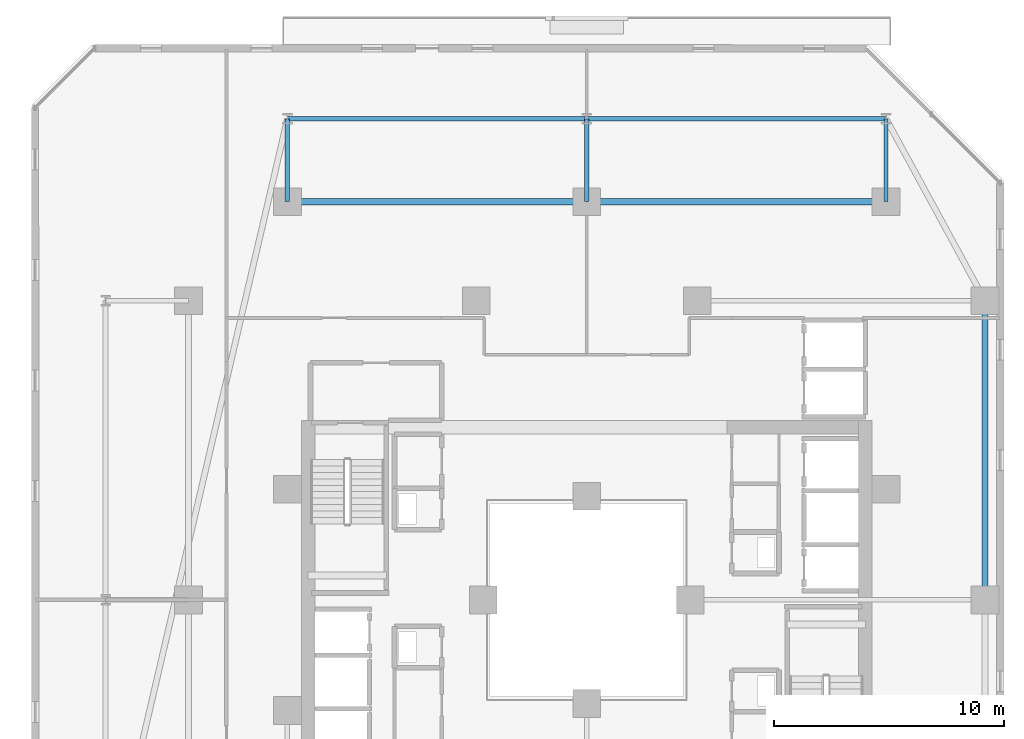
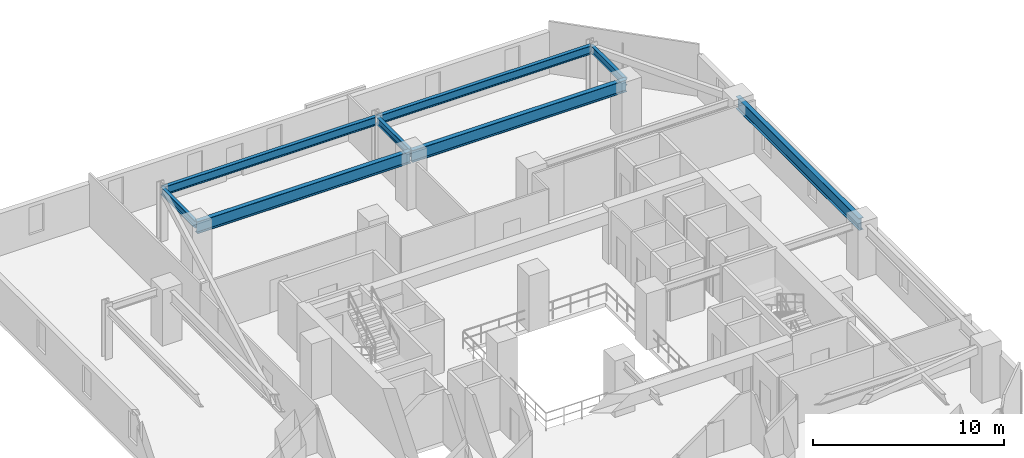
# One storey, part 13 of 30: 8 beams.
"""IFC4 building model written with IfcOpenShell, lengths in metres."""

from ifc_helpers import new_model, si_unit, direction, frame, origin, origin_2d, place, context, subcontext, project, spatial, i_section, extrude, material, material_profile, profile_set, type_object, element, save


model = new_model("IFC4")

# Units and contexts
model_context = context("Model", 3, precision=1e-05, world=origin(), true_north=direction((0.0, 1.0)))
body_context = subcontext(model_context, "Body", "Model", "MODEL_VIEW")
ifc_project = project(units=[si_unit("LENGTHUNIT", "METRE"), si_unit("AREAUNIT", "SQUARE_METRE"), si_unit("VOLUMEUNIT", "CUBIC_METRE"), si_unit("PLANEANGLEUNIT", "RADIAN"), si_unit("MASSUNIT", "GRAM", prefix="KILO")], contexts=[model_context])

# Site, building, storey
site_placement = place(None, origin())
site = spatial("IfcSite", under=ifc_project, at=site_placement, CompositionType="ELEMENT")
building_placement = place(site_placement, origin())
building = spatial("IfcBuilding", under=site, at=building_placement, Name="Thornwick Lancets Civic Towers", CompositionType="ELEMENT")
storey_placement = place(building_placement, frame((0.0, 0.0, 80.10009765625)))
storey = spatial("IfcBuildingStorey", under=building, at=storey_placement, Name="L20", CompositionType="ELEMENT", Elevation=80.10009765625)

# Beams
ifc_material = material(Name="Steel S355JR", Category="steel")
ifc_material_profile_1 = material_profile(ifc_material, i_section(OverallWidth=0.2119140625, OverallDepth=0.54443359375, WebThickness=0.0126953125, FlangeThickness=0.021240234375, FilletRadius=0.0126953125, at=origin_2d()), Name="UKB 533x210x122")
ifc_profile_set_1 = profile_set([ifc_material_profile_1], Name="Steel S355JR")
beam_type_1 = type_object("IfcBeamType", Name="BM_EDGE_533_122", PredefinedType="SPANDREL", material=ifc_profile_set_1)
beam_1_placement = place(storey_placement, frame((101.5, 47.89990234375, 3.087646484375), z_axis=(-1.0, 0.0, 0.0), x_axis=(0.0, -1.0, 0.0)))
element("IfcBeam", 1, at=beam_1_placement, inside=storey, type_object=beam_type_1, Name="BM-EDGE-L20-B-S1-1", PredefinedType="SPANDREL", context=body_context, shape_type="SweptSolid", body=[
    extrude(i_section(OverallWidth=0.2119140625, OverallDepth=0.54443359375, WebThickness=0.0126953125, FlangeThickness=0.021240234375, FilletRadius=0.0126953125, at=origin_2d()), origin(), (0.0, 0.0, 1.0), 13.0),
])
beam_2_placement = place(storey_placement, frame((88.419921875, 47.89990234375, 3.087646484375), z_axis=(-1.0, 0.0, 0.0), x_axis=(0.0, -1.0, 0.0)))
element("IfcBeam", 2, at=beam_2_placement, inside=storey, type_object=beam_type_1, Name="BM-EDGE-L20-B-S1-2", PredefinedType="SPANDREL", context=body_context, shape_type="SweptSolid", body=[
    extrude(i_section(OverallWidth=0.2119140625, OverallDepth=0.54443359375, WebThickness=0.0126953125, FlangeThickness=0.021240234375, FilletRadius=0.0126953125, at=origin_2d()), origin(), (0.0, 0.0, 1.0), 12.919921875),
])
ifc_material_profile_2 = material_profile(ifc_material, i_section(OverallWidth=0.26806640625, OverallDepth=0.769775390625, WebThickness=0.015625, FlangeThickness=0.025390625, FilletRadius=0.0166015625, at=origin_2d()), Name="UKB 762x267x197")
ifc_profile_set_2 = profile_set([ifc_material_profile_2], Name="Steel S355JR")
beam_type_2 = type_object("IfcBeamType", Name="BM_GIRD_762_197", PredefinedType="BEAM", material=ifc_profile_set_2)
beam_3_placement = place(storey_placement, frame((105.800048828125, 27.080078125, 2.97509765625), z_axis=(0.0, 1.0, 0.0), x_axis=(-1.0, 0.0, 0.0)))
element("IfcBeam", 3, at=beam_3_placement, inside=storey, type_object=beam_type_2, Name="BM-SPINE-L20-B-1-2", PredefinedType="BEAM", context=body_context, shape_type="SweptSolid", body=[
    extrude(i_section(OverallWidth=0.26806640625, OverallDepth=0.769775390625, WebThickness=0.015625, FlangeThickness=0.025390625, FilletRadius=0.0166015625, at=origin_2d()), origin(), (0.0, 0.0, 1.0), 12.919921875),
])
beam_4_placement = place(storey_placement, frame((101.5, 44.300048828125, 2.97509765625), z_axis=(-1.0, 0.0, 0.0), x_axis=(0.0, -1.0, 0.0)))
element("IfcBeam", 4, at=beam_4_placement, inside=storey, type_object=beam_type_2, Name="BM-SPINE-L20-B-3-4", PredefinedType="BEAM", context=body_context, shape_type="SweptSolid", body=[
    extrude(i_section(OverallWidth=0.26806640625, OverallDepth=0.769775390625, WebThickness=0.015625, FlangeThickness=0.025390625, FilletRadius=0.0166015625, at=origin_2d()), origin(), (0.0, 0.0, 1.0), 13.0),
])
beam_5_placement = place(storey_placement, frame((88.419921875, 44.300048828125, 2.97509765625), z_axis=(-1.0, 0.0, 0.0), x_axis=(0.0, -1.0, 0.0)))
element("IfcBeam", 5, at=beam_5_placement, inside=storey, type_object=beam_type_2, Name="BM-SPINE-L20-B-4-5", PredefinedType="BEAM", context=body_context, shape_type="SweptSolid", body=[
    extrude(i_section(OverallWidth=0.26806640625, OverallDepth=0.769775390625, WebThickness=0.015625, FlangeThickness=0.025390625, FilletRadius=0.0166015625, at=origin_2d()), origin(), (0.0, 0.0, 1.0), 12.919921875),
])
ifc_material_profile_3 = material_profile(ifc_material, i_section(OverallWidth=0.19189453125, OverallDepth=0.46337890625, WebThickness=0.010498046875, FlangeThickness=0.017578125, FilletRadius=0.01025390625, at=origin_2d()), Name="UKB 457x191x89")
ifc_profile_set_3 = profile_set([ifc_material_profile_3], Name="Steel S355JR")
beam_type_3 = type_object("IfcBeamType", Name="BM_JOIST_457_89", PredefinedType="JOIST", material=ifc_profile_set_3)
for number, where, z_axis, x_axis, name in (
    (6, (101.5, 44.300048828125, 3.128173828125), (0.0, 1.0, 0.0), (-1.0, 0.0, 0.0), "BM-RAD-L20-B04"),
    (7, (88.5, 44.300048828125, 3.128173828125), (0.0, 1.0, 0.0), (-1.0, 0.0, 0.0), "BM-RAD-L20-B05"),
    (8, (75.5, 44.300048828125, 3.128173828125), (0.0, 1.0, 0.0), (-1.0, 0.0, 0.0), "BM-RAD-L20-B06"),
):
    element("IfcBeam", number, at=place(storey_placement, frame(where, z_axis=z_axis, x_axis=x_axis)), inside=storey, type_object=beam_type_3, Name=name, PredefinedType="JOIST", context=body_context, shape_type="SweptSolid", body=[
        extrude(i_section(OverallWidth=0.19189453125, OverallDepth=0.46337890625, WebThickness=0.010498046875, FlangeThickness=0.017578125, FilletRadius=0.01025390625, at=origin_2d()), origin(), (0.0, 0.0, 1.0), 3.599853515625),
    ])

save(model, "model.ifc")
